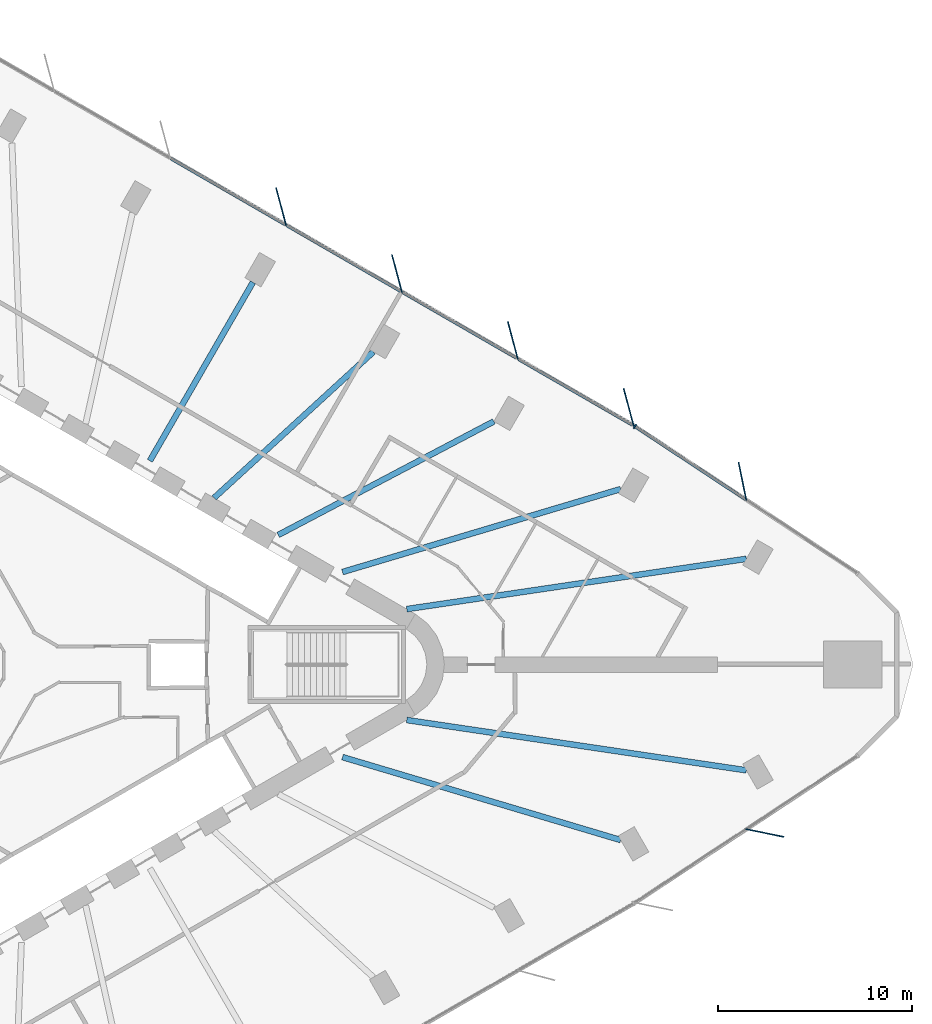
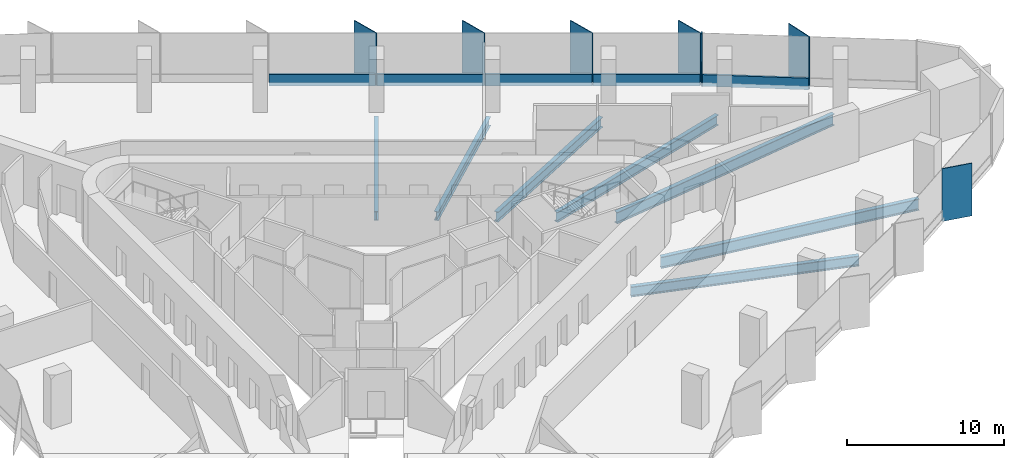
# One storey, part 5 of 14: 12 members, 7 beams, 3 elements without a shape of their own.
"""IFC4 building model written with IfcOpenShell, lengths in metres."""

from ifc_helpers import new_model, si_unit, direction, frame, origin, origin_2d, place, context, subcontext, project, spatial, rectangle, i_section, extrude, material, material_profile, profile_set, type_object, element, aggregate, save


model = new_model("IFC4")

# Units and contexts
model_context = context("Model", 3, precision=1e-05, world=origin(), true_north=direction((0.0, 1.0)))
body_context = subcontext(model_context, "Body", "Model", "MODEL_VIEW")
ifc_project = project(units=[si_unit("LENGTHUNIT", "METRE"), si_unit("AREAUNIT", "SQUARE_METRE"), si_unit("VOLUMEUNIT", "CUBIC_METRE"), si_unit("PLANEANGLEUNIT", "RADIAN"), si_unit("MASSUNIT", "GRAM", prefix="KILO")], contexts=[model_context])

# Site, building, storey
site_placement = place(None, origin())
site = spatial("IfcSite", under=ifc_project, at=site_placement, CompositionType="ELEMENT")
building_placement = place(site_placement, origin())
building = spatial("IfcBuilding", under=site, at=building_placement, Name="Tanit Gate Tower", CompositionType="ELEMENT")
storey_placement = place(building_placement, frame((0.0, 0.0, 53.699951171875)))
storey = spatial("IfcBuildingStorey", under=building, at=storey_placement, Name="L09", CompositionType="ELEMENT", Elevation=53.699951171875)

# Curtain wall, member
ifc_material_1 = material(Name="Aluminium bronze anodised and glass", Category="aluminium")
curtain_wall_type = type_object("IfcCurtainWallType", Name="Curtain wall typical low", PredefinedType="NOTDEFINED", material=ifc_material_1)
curtain_wall_1_placement = place(storey_placement, origin())
curtain_wall_1 = element("IfcCurtainWall", 1, at=curtain_wall_1_placement, inside=storey, type_object=curtain_wall_type, Name="Curtain wall L09 NE1", PredefinedType="NOTDEFINED")
ifc_material_2 = material(Name="Aluminium bronze anodised", Category="aluminium")
ifc_material_profile_1 = material_profile(ifc_material_2, rectangle(XDim=2.0, YDim=0.055908203125, at=origin_2d()), Name="56x2000 bronze fin mullion")
ifc_profile_set_1 = profile_set([ifc_material_profile_1], Name="Aluminium bronze anodised")
member_type_1 = type_object("IfcMemberType", Name="FIN MULLION 56x2000 bronze", PredefinedType="MULLION", material=ifc_profile_set_1)
member_1_placement = place(storey_placement, frame((36.531982421875, 9.425048828125, -0.300048828125), z_axis=(0.0, 0.0, 1.0), x_axis=(0.200582168819, -0.979676882218, 0.0)))
member_1 = element("IfcMember", 2, at=member_1_placement, type_object=member_type_1, Name="Fin mullion L09 NE1.2", PredefinedType="MULLION", context=body_context, shape_type="SweptSolid", body=[
    extrude(rectangle(XDim=2.0, YDim=0.055908203125, at=origin_2d()), origin(), (0.0, 0.0, 1.0), 4.10009765625),
])

# Curtain wall, members
curtain_wall_2_placement = place(storey_placement, origin())
curtain_wall_2 = element("IfcCurtainWall", 3, at=curtain_wall_2_placement, inside=storey, type_object=curtain_wall_type, Name="Curtain wall L09 NE2", PredefinedType="NOTDEFINED")
member_2_placement = place(storey_placement, frame((30.68115234375, 13.233154296875, -0.300048828125), z_axis=(0.0, 0.0, 1.0), x_axis=(0.258886020591, -0.965907877772, 0.0)))
member_2 = element("IfcMember", 4, at=member_2_placement, type_object=member_type_1, Name="Fin mullion L09 NE2.1", PredefinedType="MULLION", context=body_context, shape_type="SweptSolid", body=[
    extrude(rectangle(XDim=2.0, YDim=0.055908203125, at=origin_2d()), origin(), (0.0, 0.0, 1.0), 4.10009765625),
])
member_3_placement = place(storey_placement, frame((24.72119140625, 16.673583984375, -0.300048828125), z_axis=(0.0, 0.0, 1.0), x_axis=(0.258886020591, -0.965907877772, 0.0)))
member_3 = element("IfcMember", 5, at=member_3_placement, type_object=member_type_1, Name="Fin mullion L09 NE2.2", PredefinedType="MULLION", context=body_context, shape_type="SweptSolid", body=[
    extrude(rectangle(XDim=2.0, YDim=0.055908203125, at=origin_2d()), origin(), (0.0, 0.0, 1.0), 4.10009765625),
])
member_4_placement = place(storey_placement, frame((18.76123046875, 20.114013671875, -0.300048828125), z_axis=(0.0, 0.0, 1.0), x_axis=(0.258886020591, -0.965907877772, 0.0)))
member_4 = element("IfcMember", 6, at=member_4_placement, type_object=member_type_1, Name="Fin mullion L09 NE2.3", PredefinedType="MULLION", context=body_context, shape_type="SweptSolid", body=[
    extrude(rectangle(XDim=2.0, YDim=0.055908203125, at=origin_2d()), origin(), (0.0, 0.0, 1.0), 4.10009765625),
])
member_5_placement = place(storey_placement, frame((12.80126953125, 23.5546875, -0.300048828125), z_axis=(0.0, 0.0, 1.0), x_axis=(0.258886020591, -0.965907877772, 0.0)))
member_5 = element("IfcMember", 7, at=member_5_placement, type_object=member_type_1, Name="Fin mullion L09 NE2.4", PredefinedType="MULLION", context=body_context, shape_type="SweptSolid", body=[
    extrude(rectangle(XDim=2.0, YDim=0.055908203125, at=origin_2d()), origin(), (0.0, 0.0, 1.0), 4.10009765625),
])

# Curtain wall, member
curtain_wall_3_placement = place(storey_placement, origin())
curtain_wall_3 = element("IfcCurtainWall", 8, at=curtain_wall_3_placement, inside=storey, type_object=curtain_wall_type, Name="Curtain wall L09 SE3", PredefinedType="NOTDEFINED")
member_6_placement = place(storey_placement, frame((37.684814453125, -8.66259765625, -0.300048828125), z_axis=(0.0, 0.0, 1.0), x_axis=(-0.979635285566, 0.200785226732, 0.0)))
member_6 = element("IfcMember", 9, at=member_6_placement, type_object=member_type_1, Name="Fin mullion L09 SE3.2", PredefinedType="MULLION", context=body_context, shape_type="SweptSolid", body=[
    extrude(rectangle(XDim=2.0, YDim=0.055908203125, at=origin_2d()), origin(), (0.0, 0.0, 1.0), 4.10009765625),
])
aggregate(curtain_wall_3, [member_6])

# Member
ifc_material_3 = material(Name="Aluminium bronze anodised", Category="aluminium")
ifc_material_profile_2 = material_profile(ifc_material_3, rectangle(XDim=0.239990234375, YDim=0.080078125, at=origin_2d()), Name="80x240 bronze mullion")
ifc_profile_set_2 = profile_set([ifc_material_profile_2], Name="Aluminium bronze anodised")
member_type_2 = type_object("IfcMemberType", Name="Mullion 80x240 typical low", PredefinedType="MULLION", material=ifc_profile_set_2)
member_7_placement = place(storey_placement, frame((31.002197265625, 12.2470703125, -0.300048828125), z_axis=(0.0, 0.0, 1.0), x_axis=(-0.550903155031, -0.834569178545, 0.0)))
member_7 = element("IfcMember", 10, at=member_7_placement, type_object=member_type_2, Name="Mullion L09 NE1.3", PredefinedType="MULLION", context=body_context, shape_type="SweptSolid", body=[
    extrude(rectangle(XDim=0.239990234375, YDim=0.080078125, at=origin_2d()), origin(), (0.0, 0.0, 1.0), 4.10009765625),
])

# Beams
ifc_material_4 = material(Name="Steel S355", Category="steel")
ifc_material_profile_3 = material_profile(ifc_material_4, i_section(OverallWidth=0.300048828125, OverallDepth=0.68994140625, WebThickness=0.014404296875, FlangeThickness=0.027099609375, FilletRadius=0.027099609375, at=origin_2d()), Name="HEA 700")
ifc_profile_set_3 = profile_set([ifc_material_profile_3], Name="Steel S355")
beam_type_1 = type_object("IfcBeamType", Name="RADIAL GIRDER HEA 700 S355", PredefinedType="BEAM", material=ifc_profile_set_3)
beam_1_placement = place(storey_placement, frame((17.548095703125, 16.084228515625, -0.64501953125), z_axis=(-0.737176932587, -0.675699763254, 0.0), x_axis=(0.675699763254, -0.737176932587, 0.0)))
element("IfcBeam", 11, at=beam_1_placement, inside=storey, type_object=beam_type_1, Name="RADIAL GIRDER", PredefinedType="BEAM", context=body_context, shape_type="SweptSolid", body=[
    extrude(i_section(OverallWidth=0.300048828125, OverallDepth=0.68994140625, WebThickness=0.014404296875, FlangeThickness=0.027099609375, FilletRadius=0.027099609375, at=origin_2d()), origin(), (0.0, 0.0, 1.0), 11.115478515625),
])
beam_2_placement = place(storey_placement, frame((11.351806640625, 19.661865234375, -0.64501953125), z_axis=(-0.500002863238, -0.866023750687, 0.0), x_axis=(0.866023750687, -0.500002863238, 0.0)))
element("IfcBeam", 12, at=beam_2_placement, inside=storey, type_object=beam_type_1, Name="RADIAL GIRDER", PredefinedType="BEAM", context=body_context, shape_type="SweptSolid", body=[
    extrude(i_section(OverallWidth=0.300048828125, OverallDepth=0.68994140625, WebThickness=0.014404296875, FlangeThickness=0.027099609375, FilletRadius=0.027099609375, at=origin_2d()), origin(), (0.0, 0.0, 1.0), 10.6015625),
])
ifc_material_5 = material(Name="Steel S355", Category="steel")
ifc_material_profile_4 = material_profile(ifc_material_5, i_section(OverallWidth=0.300048828125, OverallDepth=0.7900390625, WebThickness=0.014892578125, FlangeThickness=0.028076171875, FilletRadius=0.030029296875, at=origin_2d()), Name="HEA 800")
ifc_profile_set_4 = profile_set([ifc_material_profile_4], Name="Steel S355")
beam_type_2 = type_object("IfcBeamType", Name="RADIAL GIRDER HEA 800 S355", PredefinedType="BEAM", material=ifc_profile_set_4)
for number, where, z_axis, x_axis, name in (
    (13, (30.267578125, -9.026611328125, -0.695068359375), (-0.958292632116, 0.285788787801, 0.0), (-0.285788787801, -0.958292632116, 0.0), "RADIAL GIRDER"),
    (14, (30.267578125, 9.026611328125, -0.695068359375), (-0.958292632116, -0.285788787801, 0.0), (0.285788787801, -0.958292632116, 0.0), "RADIAL GIRDER"),
):
    element("IfcBeam", number, at=place(storey_placement, frame(where, z_axis=z_axis, x_axis=x_axis)), inside=storey, type_object=beam_type_2, Name=name, PredefinedType="BEAM", context=body_context, shape_type="SweptSolid", body=[
        extrude(i_section(OverallWidth=0.300048828125, OverallDepth=0.7900390625, WebThickness=0.014892578125, FlangeThickness=0.028076171875, FilletRadius=0.030029296875, at=origin_2d()), origin(), (0.0, 0.0, 1.0), 14.93017578125),
    ])
beam_3_placement = place(storey_placement, frame((23.74462890625, 12.506591796875, -0.695068359375), z_axis=(-0.884770690276, -0.466026636179, 0.0), x_axis=(0.466026636179, -0.884770690276, 0.0)))
element("IfcBeam", 15, at=beam_3_placement, inside=storey, type_object=beam_type_2, Name="RADIAL GIRDER", PredefinedType="BEAM", context=body_context, shape_type="SweptSolid", body=[
    extrude(i_section(OverallWidth=0.300048828125, OverallDepth=0.7900390625, WebThickness=0.014892578125, FlangeThickness=0.028076171875, FilletRadius=0.030029296875, at=origin_2d()), origin(), (0.0, 0.0, 1.0), 12.53173828125),
])
ifc_material_6 = material(Name="Steel S355", Category="steel")
ifc_material_profile_5 = material_profile(ifc_material_6, i_section(OverallWidth=0.300048828125, OverallDepth=0.889892578125, WebThickness=0.01611328125, FlangeThickness=0.030029296875, FilletRadius=0.030029296875, at=origin_2d()), Name="HEA 900")
ifc_profile_set_5 = profile_set([ifc_material_profile_5], Name="Steel S355")
beam_type_3 = type_object("IfcBeamType", Name="RADIAL GIRDER HEA 900 S355", PredefinedType="BEAM", material=ifc_profile_set_5)
for number, where, z_axis, x_axis, name in (
    (16, (36.731689453125, -5.439697265625, -0.744873046875), (-0.98921177448, 0.146492543254, 0.0), (-0.146492543254, -0.98921177448, 0.0), "RADIAL GIRDER"),
    (17, (36.731689453125, 5.439697265625, -0.744873046875), (-0.98921177448, -0.146492543254, 0.0), (0.146492543254, -0.98921177448, 0.0), "RADIAL GIRDER"),
):
    element("IfcBeam", number, at=place(storey_placement, frame(where, z_axis=z_axis, x_axis=x_axis)), inside=storey, type_object=beam_type_3, Name=name, PredefinedType="BEAM", context=body_context, shape_type="SweptSolid", body=[
        extrude(i_section(OverallWidth=0.300048828125, OverallDepth=0.889892578125, WebThickness=0.01611328125, FlangeThickness=0.030029296875, FilletRadius=0.030029296875, at=origin_2d()), origin(), (0.0, 0.0, 1.0), 17.658935546875),
    ])

# Member
ifc_material_7 = material(Name="Aluminium bronze anodised", Category="aluminium")
ifc_material_profile_6 = material_profile(ifc_material_7, rectangle(XDim=0.159912109375, YDim=0.89990234375, at=origin_2d()), Name="160x900 bronze transom")
ifc_profile_set_6 = profile_set([ifc_material_profile_6], Name="Aluminium bronze anodised")
member_type_3 = type_object("IfcMemberType", Name="Transom 160x900 typical low", PredefinedType="USERDEFINED", material=ifc_profile_set_6)
member_8_placement = place(storey_placement, frame((36.694580078125, 8.489501953125, 0.150146484375), z_axis=(-0.834562062149, 0.550913935585, 0.0), x_axis=(-0.550913935585, -0.834562062149, 0.0)))
member_8 = element("IfcMember", 18, at=member_8_placement, type_object=member_type_3, Name="Transom L09 NE1.2", ObjectType="TRANSOM", PredefinedType="USERDEFINED", context=body_context, shape_type="SweptSolid", body=[
    extrude(rectangle(XDim=0.159912109375, YDim=0.89990234375, at=origin_2d()), origin(), (0.0, 0.0, 1.0), 6.78076171875),
])

aggregate(curtain_wall_1, [member_1, member_7, member_8])

member_9_placement = place(storey_placement, frame((30.899658203125, 12.30908203125, 0.150146484375), z_axis=(-0.866054693437, 0.499949265402, 0.0), x_axis=(-0.499949265402, -0.866054693437, 0.0)))
member_9 = element("IfcMember", 19, at=member_9_placement, type_object=member_type_3, Name="Transom L09 NE2.1", ObjectType="TRANSOM", PredefinedType="USERDEFINED", context=body_context, shape_type="SweptSolid", body=[
    extrude(rectangle(XDim=0.159912109375, YDim=0.89990234375, at=origin_2d()), origin(), (0.0, 0.0, 1.0), 6.802001953125),
])

member_10_placement = place(storey_placement, frame((24.939453125, 15.749755859375, 0.150146484375), z_axis=(-0.866061263272, 0.499937884402, 0.0), x_axis=(-0.499937884402, -0.866061263272, 0.0)))
member_10 = element("IfcMember", 20, at=member_10_placement, type_object=member_type_3, Name="Transom L09 NE2.2", ObjectType="TRANSOM", PredefinedType="USERDEFINED", context=body_context, shape_type="SweptSolid", body=[
    extrude(rectangle(XDim=0.159912109375, YDim=0.89990234375, at=origin_2d()), origin(), (0.0, 0.0, 1.0), 6.801513671875),
])

member_11_placement = place(storey_placement, frame((18.9794921875, 19.190185546875, 0.150146484375), z_axis=(-0.866061263272, 0.499937884402, 0.0), x_axis=(-0.499937884402, -0.866061263272, 0.0)))
member_11 = element("IfcMember", 21, at=member_11_placement, type_object=member_type_3, Name="Transom L09 NE2.3", ObjectType="TRANSOM", PredefinedType="USERDEFINED", context=body_context, shape_type="SweptSolid", body=[
    extrude(rectangle(XDim=0.159912109375, YDim=0.89990234375, at=origin_2d()), origin(), (0.0, 0.0, 1.0), 6.801513671875),
])

member_12_placement = place(storey_placement, frame((13.01953125, 22.630615234375, 0.150146484375), z_axis=(-0.866061263272, 0.499937884402, 0.0), x_axis=(-0.499937884402, -0.866061263272, 0.0)))
member_12 = element("IfcMember", 22, at=member_12_placement, type_object=member_type_3, Name="Transom L09 NE2.4", ObjectType="TRANSOM", PredefinedType="USERDEFINED", context=body_context, shape_type="SweptSolid", body=[
    extrude(rectangle(XDim=0.159912109375, YDim=0.89990234375, at=origin_2d()), origin(), (0.0, 0.0, 1.0), 6.801513671875),
])

aggregate(curtain_wall_2, [member_2, member_3, member_4, member_5, member_9, member_10, member_11, member_12])

save(model, "model.ifc")
